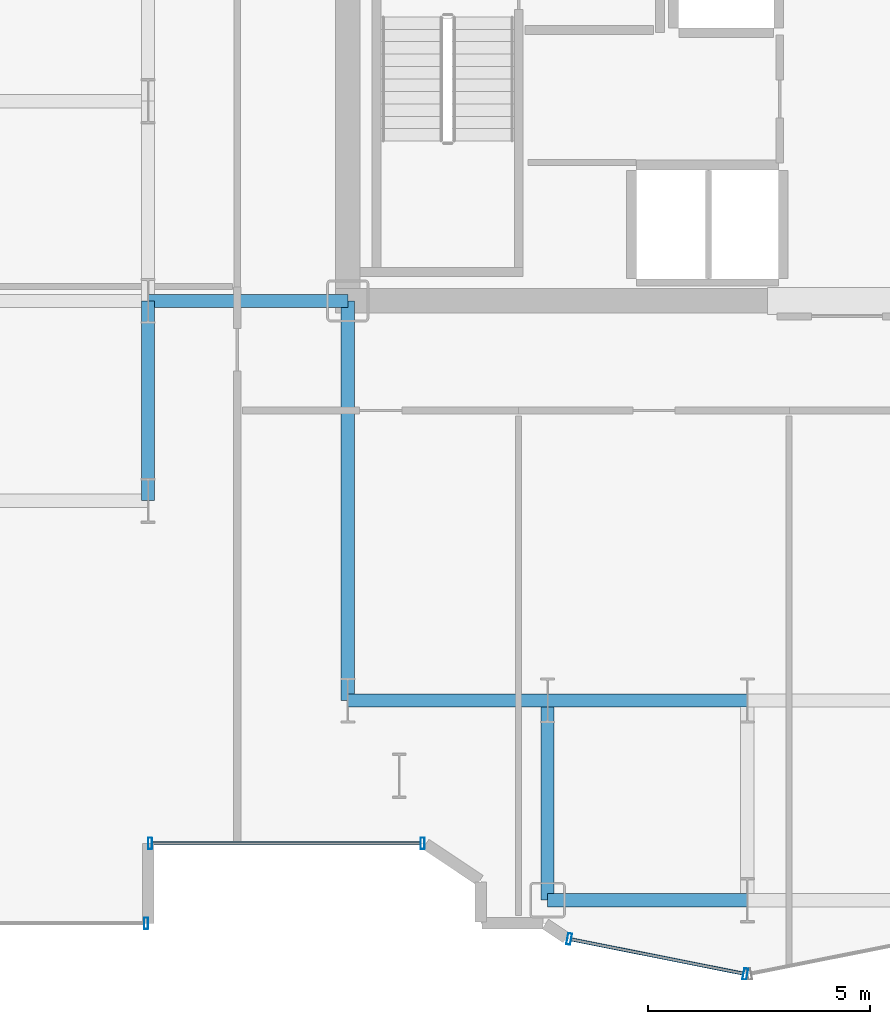
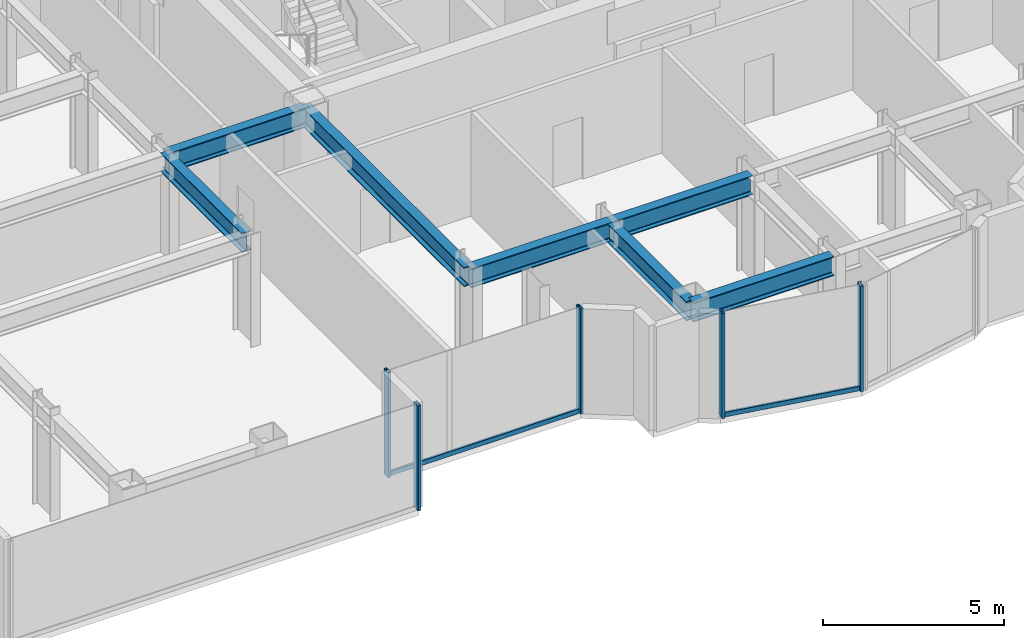
# One storey, part 4 of 26: 7 beams, 7 members, 3 elements without a shape of their own.
"""IFC4 building model written with IfcOpenShell, lengths in metres."""

from ifc_helpers import new_model, si_unit, direction, frame, origin, origin_2d, place, context, subcontext, project, spatial, hollow_rectangle, i_section, extrude, source, transform, mapped, material, layer, layer_set, material_profile, profile_set, type_object, element, aggregate, save


model = new_model("IFC4")

# Units and contexts
model_context = context("Model", 3, precision=1e-05, world=origin(), true_north=direction((0.0, 1.0)))
body_context = subcontext(model_context, "Body", "Model", "MODEL_VIEW")
ifc_project = project(units=[si_unit("LENGTHUNIT", "METRE"), si_unit("AREAUNIT", "SQUARE_METRE"), si_unit("VOLUMEUNIT", "CUBIC_METRE"), si_unit("PLANEANGLEUNIT", "RADIAN"), si_unit("MASSUNIT", "GRAM", prefix="KILO")], contexts=[model_context])

# Site, building, storey
site_placement = place(None, origin())
site = spatial("IfcSite", under=ifc_project, at=site_placement, CompositionType="ELEMENT")
building_placement = place(site_placement, origin())
building = spatial("IfcBuilding", under=site, at=building_placement, Name="Nefas-Gora Pilgrimage Tower", CompositionType="ELEMENT")
storey_placement = place(building_placement, frame((0.0, 0.0, 132.60009765625)))
storey = spatial("IfcBuildingStorey", under=building, at=storey_placement, Name="L32", CompositionType="ELEMENT", Elevation=132.60009765625)

# Beams
ifc_material_1 = material(Name="Steel S355", Category="steel")
ifc_material_profile_1 = material_profile(ifc_material_1, i_section(OverallWidth=0.300048828125, OverallDepth=0.64990234375, WebThickness=0.01611328125, FlangeThickness=0.031005859375, FilletRadius=0.027099609375, at=origin_2d()), Name="HEB 650")
ifc_profile_set_1 = profile_set([ifc_material_profile_1], Name="Steel S355")
beam_type = type_object("IfcBeamType", Name="BM-GIR-HEB650", PredefinedType="BEAM", material=ifc_profile_set_1)
shared_shape_1 = source(origin(), body_context, "Body", "SweptSolid", [
    extrude(i_section(OverallWidth=0.300048828125, OverallDepth=0.64990234375, WebThickness=0.01611328125, FlangeThickness=0.031005859375, FilletRadius=0.027099609375, at=origin_2d()), origin(), (0.0, 0.0, 1.0), 9.0),
])
beam_placement = place(storey_placement, frame((-11.25, -18.0, 3.224853515625), z_axis=(0.0, 1.0, 0.0), x_axis=(-1.0, 0.0, 0.0)))
element("IfcBeam", 1, at=beam_placement, inside=storey, type_object=beam_type, Name="L32 G-03 beam", PredefinedType="BEAM", context=body_context, shape_type="MappedRepresentation", body=[
    mapped(shared_shape_1, transform((0.0, 0.0, 0.0), x_axis=(1.0, 0.0, 0.0), y_axis=(0.0, 1.0, 0.0), z_axis=(0.0, 0.0, 1.0), scale=1.0)),
])
shared_shape_2 = source(origin(), body_context, "Body", "SweptSolid", [
    extrude(i_section(OverallWidth=0.300048828125, OverallDepth=0.64990234375, WebThickness=0.01611328125, FlangeThickness=0.031005859375, FilletRadius=0.027099609375, at=origin_2d()), origin(), (0.0, 0.0, 1.0), 4.5),
])
for number, where, z_axis, x_axis, name in (
    (2, (-15.75, -13.5, 3.224853515625), (0.0, 1.0, 0.0), (-1.0, 0.0, 0.0), "L32 G-03 beam"),
    (3, (-15.75, -9.0, 3.224853515625), (1.0, 0.0, 0.0), (0.0, 1.0, 0.0), "L32 G-03 beam"),
    (4, (-11.25, -18.0, 3.224853515625), (1.0, 0.0, 0.0), (0.0, 1.0, 0.0), "L32 G-03 beam"),
    (5, (-6.75, -22.5, 3.224853515625), (0.0, 1.0, 0.0), (-1.0, 0.0, 0.0), "L32 G-03 beam"),
    (6, (-6.75, -22.5, 3.224853515625), (1.0, 0.0, 0.0), (0.0, 1.0, 0.0), "L32 G-03 beam"),
    (7, (-6.75, -18.0, 3.224853515625), (1.0, 0.0, 0.0), (0.0, 1.0, 0.0), "L32 G-03 beam"),
):
    element("IfcBeam", number, at=place(storey_placement, frame(where, z_axis=z_axis, x_axis=x_axis)), inside=storey, type_object=beam_type, Name=name, PredefinedType="BEAM", context=body_context, shape_type="MappedRepresentation", body=[
        mapped(shared_shape_2, transform((0.0, 0.0, 0.0), x_axis=(1.0, 0.0, 0.0), y_axis=(0.0, 1.0, 0.0), z_axis=(0.0, 0.0, 1.0), scale=1.0)),
    ])

# Curtain wall, member
ifc_material_2 = material(Name="Dark ceramic-fritted solar-control aluminium-glass curtain wall", Category="aluminium")
ifc_layer_1 = layer(ifc_material_2, 0.219970703125)
ifc_layer_set_1 = layer_set([ifc_layer_1], Name="Dark ceramic-fritted solar-control aluminium-glass curtain wall")
curtain_wall_type_1 = type_object("IfcCurtainWallType", Name="CW-SYS-5", PredefinedType="NOTDEFINED", material=ifc_layer_set_1)
curtain_wall_1_placement = place(storey_placement, origin())
curtain_wall_1 = element("IfcCurtainWall", 8, at=curtain_wall_1_placement, inside=storey, type_object=curtain_wall_type_1, Name="L32 Unitised Curtain Wall CW5", PredefinedType="NOTDEFINED")
ifc_material_3 = material(Name="Anodised architectural aluminium", Category="aluminium")
ifc_material_profile_2 = material_profile(ifc_material_3, hollow_rectangle(XDim=0.080078125, YDim=0.159912109375, WallThickness=0.00439453125, InnerFilletRadius=0.00439453125, OuterFilletRadius=0.009033203125, at=origin_2d()), Name="ALU TRANSOM 80x160")
ifc_profile_set_2 = profile_set([ifc_material_profile_2], Name="Anodised architectural aluminium")
member_type_1 = type_object("IfcMemberType", Name="CWM-TRN-5", PredefinedType="USERDEFINED", material=ifc_profile_set_2)
shared_shape_3 = source(origin(), body_context, "Body", "SweptSolid", [
    extrude(hollow_rectangle(XDim=0.080078125, YDim=0.159912109375, WallThickness=0.00439453125, InnerFilletRadius=0.00439453125, OuterFilletRadius=0.009033203125, at=origin_2d()), origin(), (0.0, 0.0, 1.0), 6.052001953125),
])
member_1_placement = place(storey_placement, frame((-15.659912109375, -21.219970703125, 0.0498046875), z_axis=(1.0, 0.0, 0.0), x_axis=(0.0, 1.0, 0.0)))
member_1 = element("IfcMember", 9, at=member_1_placement, type_object=member_type_1, Name="CW5 Spandrel Transom", ObjectType="TRANSOM", PredefinedType="USERDEFINED", context=body_context, shape_type="MappedRepresentation", body=[
    mapped(shared_shape_3, transform((0.0, 0.0, 0.0), x_axis=(1.0, 0.0, 0.0), y_axis=(0.0, 1.0, 0.0), z_axis=(0.0, 0.0, 1.0), scale=1.0)),
])

curtain_wall_2_placement = place(storey_placement, origin())
curtain_wall_2 = element("IfcCurtainWall", 10, at=curtain_wall_2_placement, inside=storey, type_object=curtain_wall_type_1, Name="L32 Unitised Curtain Wall CW5", PredefinedType="NOTDEFINED")
shared_shape_4 = source(origin(), body_context, "Body", "SweptSolid", [
    extrude(hollow_rectangle(XDim=0.080078125, YDim=0.159912109375, WallThickness=0.00439453125, InnerFilletRadius=0.00439453125, OuterFilletRadius=0.009033203125, at=origin_2d()), origin(), (0.0, 0.0, 1.0), 3.95654296875),
])
member_2_placement = place(storey_placement, frame((-6.218994140625, -23.3828125, 0.0498046875), z_axis=(0.980781880918, -0.195107411605, 0.0), x_axis=(0.195107411605, 0.980781880918, 0.0)))
member_2 = element("IfcMember", 11, at=member_2_placement, type_object=member_type_1, Name="CW5 Spandrel Transom", ObjectType="TRANSOM", PredefinedType="USERDEFINED", context=body_context, shape_type="MappedRepresentation", body=[
    mapped(shared_shape_4, transform((0.0, 0.0, 0.0), x_axis=(1.0, 0.0, 0.0), y_axis=(0.0, 1.0, 0.0), z_axis=(0.0, 0.0, 1.0), scale=1.0)),
])

# Member
ifc_material_profile_3 = material_profile(ifc_material_3, hollow_rectangle(XDim=0.090087890625, YDim=0.260009765625, WallThickness=0.006103515625, InnerFilletRadius=0.006103515625, OuterFilletRadius=0.011962890625, at=origin_2d()), Name="ALU MULLION 90x260")
ifc_profile_set_3 = profile_set([ifc_material_profile_3], Name="Anodised architectural aluminium")
member_type_2 = type_object("IfcMemberType", Name="CWM-MUL-5", PredefinedType="MULLION", material=ifc_profile_set_3)
shared_shape_5 = source(origin(), body_context, "Body", "SweptSolid", [
    extrude(hollow_rectangle(XDim=0.090087890625, YDim=0.260009765625, WallThickness=0.006103515625, InnerFilletRadius=0.006103515625, OuterFilletRadius=0.011962890625, at=origin_2d()), origin(), (0.0, 0.0, 1.0), 3.5498046875),
])
member_3_placement = place(storey_placement, frame((-15.705078125, -21.219970703125, 0.0), z_axis=(0.0, 0.0, 1.0), x_axis=(1.0, 0.0, 0.0)))
member_3 = element("IfcMember", 12, at=member_3_placement, type_object=member_type_2, Name="CW5 Mullion 1", PredefinedType="MULLION", context=body_context, shape_type="MappedRepresentation", body=[
    mapped(shared_shape_5, transform((0.0, 0.0, 0.0), x_axis=(1.0, 0.0, 0.0), y_axis=(0.0, 1.0, 0.0), z_axis=(0.0, 0.0, 1.0), scale=1.0)),
])

member_4_placement = place(storey_placement, frame((-9.56298828125, -21.219970703125, 0.0), z_axis=(0.0, 0.0, 1.0), x_axis=(1.0, 0.0, 0.0)))
member_4 = element("IfcMember", 13, at=member_4_placement, type_object=member_type_2, Name="CW5 Mullion 2", PredefinedType="MULLION", context=body_context, shape_type="MappedRepresentation", body=[
    mapped(shared_shape_5, transform((0.0, 0.0, 0.0), x_axis=(1.0, 0.0, 0.0), y_axis=(0.0, 1.0, 0.0), z_axis=(0.0, 0.0, 1.0), scale=1.0)),
])

aggregate(curtain_wall_1, [member_3, member_4, member_1])

member_5_placement = place(storey_placement, frame((-6.26318359375, -23.3740234375, 0.0), z_axis=(0.0, 0.0, 1.0), x_axis=(0.980782896852, -0.195102304554, 0.0)))
member_5 = element("IfcMember", 14, at=member_5_placement, type_object=member_type_2, Name="CW5 Mullion 1", PredefinedType="MULLION", context=body_context, shape_type="MappedRepresentation", body=[
    mapped(shared_shape_5, transform((0.0, 0.0, 0.0), x_axis=(1.0, 0.0, 0.0), y_axis=(0.0, 1.0, 0.0), z_axis=(0.0, 0.0, 1.0), scale=1.0)),
])

member_6_placement = place(storey_placement, frame((-2.294189453125, -24.16357421875, 0.0), z_axis=(0.0, 0.0, 1.0), x_axis=(0.980782896852, -0.195102304554, 0.0)))
member_6 = element("IfcMember", 15, at=member_6_placement, type_object=member_type_2, Name="CW5 Mullion 2", PredefinedType="MULLION", context=body_context, shape_type="MappedRepresentation", body=[
    mapped(shared_shape_5, transform((0.0, 0.0, 0.0), x_axis=(1.0, 0.0, 0.0), y_axis=(0.0, 1.0, 0.0), z_axis=(0.0, 0.0, 1.0), scale=1.0)),
])

aggregate(curtain_wall_2, [member_5, member_6, member_2])

# Curtain wall, member
ifc_layer_2 = layer(ifc_material_2, 0.219970703125)
ifc_layer_set_2 = layer_set([ifc_layer_2], Name="Dark ceramic-fritted solar-control aluminium-glass curtain wall")
curtain_wall_type_2 = type_object("IfcCurtainWallType", Name="CW-SYS-2", PredefinedType="NOTDEFINED", material=ifc_layer_set_2)
curtain_wall_3_placement = place(storey_placement, origin())
curtain_wall_3 = element("IfcCurtainWall", 16, at=curtain_wall_3_placement, inside=storey, type_object=curtain_wall_type_2, Name="L32 Unitised Curtain Wall CW2", PredefinedType="NOTDEFINED")
ifc_material_profile_4 = material_profile(ifc_material_3, hollow_rectangle(XDim=0.090087890625, YDim=0.260009765625, WallThickness=0.006103515625, InnerFilletRadius=0.006103515625, OuterFilletRadius=0.011962890625, at=origin_2d()), Name="ALU MULLION 90x260")
ifc_profile_set_4 = profile_set([ifc_material_profile_4], Name="Anodised architectural aluminium")
member_type_3 = type_object("IfcMemberType", Name="CWM-MUL-2", PredefinedType="MULLION", material=ifc_profile_set_4)
shared_shape_6 = source(origin(), body_context, "Body", "SweptSolid", [
    extrude(hollow_rectangle(XDim=0.090087890625, YDim=0.260009765625, WallThickness=0.006103515625, InnerFilletRadius=0.006103515625, OuterFilletRadius=0.011962890625, at=origin_2d()), origin(), (0.0, 0.0, 1.0), 3.5498046875),
])
member_7_placement = place(storey_placement, frame((-15.794921875, -23.02001953125, 0.0), z_axis=(0.0, 0.0, 1.0), x_axis=(1.0, 0.0, 0.0)))
member_7 = element("IfcMember", 17, at=member_7_placement, type_object=member_type_3, Name="CW2 Mullion 2", PredefinedType="MULLION", context=body_context, shape_type="MappedRepresentation", body=[
    mapped(shared_shape_6, transform((0.0, 0.0, 0.0), x_axis=(1.0, 0.0, 0.0), y_axis=(0.0, 1.0, 0.0), z_axis=(0.0, 0.0, 1.0), scale=1.0)),
])
aggregate(curtain_wall_3, [member_7])

save(model, "model.ifc")
